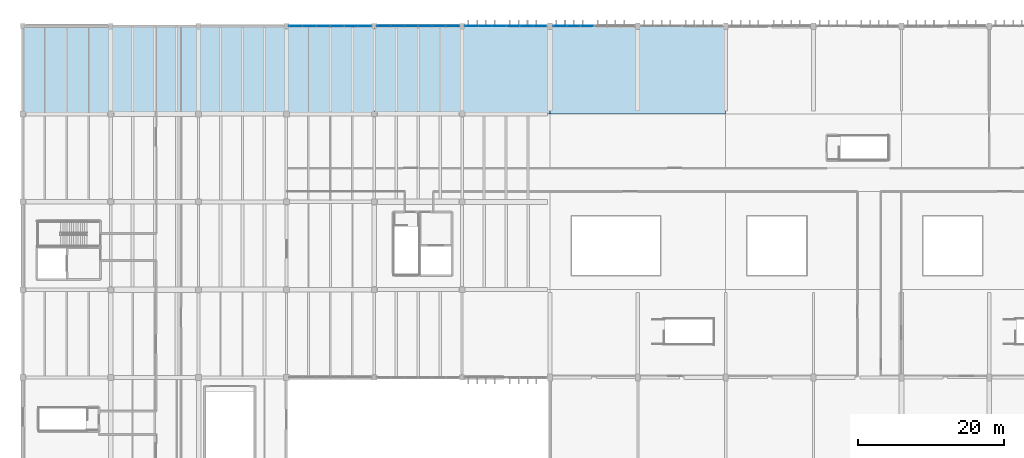
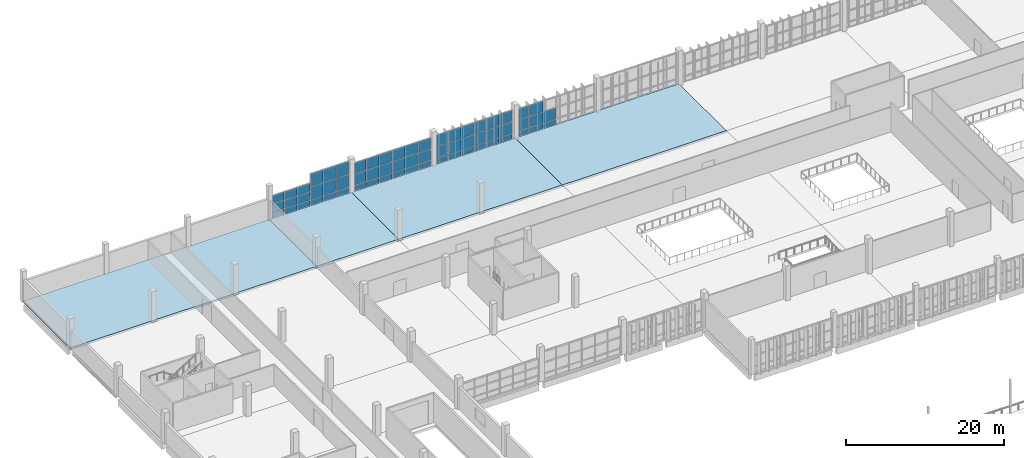
# One storey, part 71 of 112: 62 plates, 4 slabs, 7 elements without a shape of their own.
"""IFC4 building model written with IfcOpenShell, lengths in metres."""

from ifc_helpers import new_model, si_unit, direction, frame, origin, origin_2d, place, context, subcontext, project, spatial, polyline, rectangle, outline, extrude, material, layer, layer_set, type_object, element, aggregate, save


model = new_model("IFC4")

# Units and contexts
model_context = context("Model", 3, precision=1e-05, world=origin(), true_north=direction((0.0, 1.0)))
body_context = subcontext(model_context, "Body", "Model", "MODEL_VIEW")
ifc_project = project(units=[si_unit("LENGTHUNIT", "METRE"), si_unit("AREAUNIT", "SQUARE_METRE"), si_unit("VOLUMEUNIT", "CUBIC_METRE"), si_unit("PLANEANGLEUNIT", "RADIAN"), si_unit("MASSUNIT", "GRAM", prefix="KILO")], contexts=[model_context])

# Site, building, storey
site_placement = place(None, origin())
site = spatial("IfcSite", under=ifc_project, at=site_placement, CompositionType="ELEMENT")
building_placement = place(site_placement, origin())
building = spatial("IfcBuilding", under=site, at=building_placement, Name="Kamomehara Wholesale Market", CompositionType="ELEMENT")
storey_placement = place(building_placement, frame((0.0, 0.0, 6.60009765625)))
storey = spatial("IfcBuildingStorey", under=building, at=storey_placement, Name="L01", CompositionType="ELEMENT", Elevation=6.60009765625)

# Curtain wall, plates
ifc_material_1 = material(Name="Anodised aluminium 6063-T5", Category="aluminium")
curtain_wall_type = type_object("IfcCurtainWallType", Name="CW-UN-02", PredefinedType="NOTDEFINED", material=ifc_material_1)
curtain_wall_1_placement = place(storey_placement, origin())
curtain_wall_1 = element("IfcCurtainWall", 1, at=curtain_wall_1_placement, inside=storey, type_object=curtain_wall_type, Name="Unitised curtain wall CW-049", PredefinedType="NOTDEFINED")
ifc_material_2 = material(Name="Solar-control Low-E double glazing", Category="glass")
ifc_layer_1 = layer(ifc_material_2, 0.028076171875)
ifc_layer_set_1 = layer_set([ifc_layer_1], Name="Solar-control Low-E double glazing")
plate_type_1 = type_object("IfcPlateType", Name="CW-PNL-GLZ", PredefinedType="CURTAIN_PANEL", material=ifc_layer_set_1)
plate_1_placement = place(storey_placement, frame((37.287109375, 156.02001953125, 0.930419921875), z_axis=(0.0, 0.0, 1.0), x_axis=(1.0, 0.0, 0.0)))
plate_1 = element("IfcPlate", 2, at=plate_1_placement, type_object=plate_type_1, Name="Curtain panel CW-049.0.1", PredefinedType="CURTAIN_PANEL", context=body_context, shape_type="SweptSolid", body=[
    extrude(rectangle(XDim=1.79296875, YDim=0.028076171875, at=origin_2d()), origin(), (0.0, 0.0, 1.0), 1.27490234375),
])
plate_2_placement = place(storey_placement, frame((37.287109375, 156.02001953125, 2.264892578125), z_axis=(0.0, 0.0, 1.0), x_axis=(1.0, 0.0, 0.0)))
plate_2 = element("IfcPlate", 3, at=plate_2_placement, type_object=plate_type_1, Name="Curtain panel CW-049.0.2", PredefinedType="CURTAIN_PANEL", context=body_context, shape_type="SweptSolid", body=[
    extrude(rectangle(XDim=1.79296875, YDim=0.028076171875, at=origin_2d()), origin(), (0.0, 0.0, 1.0), 1.23388671875),
])
plate_3_placement = place(storey_placement, frame((39.159912109375, 156.02001953125, 0.930419921875), z_axis=(0.0, 0.0, 1.0), x_axis=(1.0, 0.0, 0.0)))
plate_3 = element("IfcPlate", 4, at=plate_3_placement, type_object=plate_type_1, Name="Curtain panel CW-049.1.1", PredefinedType="CURTAIN_PANEL", context=body_context, shape_type="SweptSolid", body=[
    extrude(rectangle(XDim=1.79296875, YDim=0.028076171875, at=origin_2d()), origin(), (0.0, 0.0, 1.0), 1.27490234375),
])
plate_4_placement = place(storey_placement, frame((39.159912109375, 156.02001953125, 2.264892578125), z_axis=(0.0, 0.0, 1.0), x_axis=(1.0, 0.0, 0.0)))
plate_4 = element("IfcPlate", 5, at=plate_4_placement, type_object=plate_type_1, Name="Curtain panel CW-049.1.2", PredefinedType="CURTAIN_PANEL", context=body_context, shape_type="SweptSolid", body=[
    extrude(rectangle(XDim=1.79296875, YDim=0.028076171875, at=origin_2d()), origin(), (0.0, 0.0, 1.0), 1.23388671875),
])
plate_5_placement = place(storey_placement, frame((41.032958984375, 156.02001953125, 0.930419921875), z_axis=(0.0, 0.0, 1.0), x_axis=(1.0, 0.0, 0.0)))
plate_5 = element("IfcPlate", 6, at=plate_5_placement, type_object=plate_type_1, Name="Curtain panel CW-049.2.1", PredefinedType="CURTAIN_PANEL", context=body_context, shape_type="SweptSolid", body=[
    extrude(rectangle(XDim=1.79296875, YDim=0.028076171875, at=origin_2d()), origin(), (0.0, 0.0, 1.0), 1.27490234375),
])
plate_6_placement = place(storey_placement, frame((41.032958984375, 156.02001953125, 2.264892578125), z_axis=(0.0, 0.0, 1.0), x_axis=(1.0, 0.0, 0.0)))
plate_6 = element("IfcPlate", 7, at=plate_6_placement, type_object=plate_type_1, Name="Curtain panel CW-049.2.2", PredefinedType="CURTAIN_PANEL", context=body_context, shape_type="SweptSolid", body=[
    extrude(rectangle(XDim=1.79296875, YDim=0.028076171875, at=origin_2d()), origin(), (0.0, 0.0, 1.0), 1.23388671875),
])

curtain_wall_2_placement = place(storey_placement, origin())
curtain_wall_2 = element("IfcCurtainWall", 8, at=curtain_wall_2_placement, inside=storey, type_object=curtain_wall_type, Name="Unitised curtain wall CW-050", PredefinedType="NOTDEFINED")
plate_7_placement = place(storey_placement, frame((42.962890625, 156.02001953125, 0.93017578125), z_axis=(0.0, 0.0, 1.0), x_axis=(1.0, 0.0, 0.0)))
plate_7 = element("IfcPlate", 9, at=plate_7_placement, type_object=plate_type_1, Name="Curtain panel CW-050.0.1", PredefinedType="CURTAIN_PANEL", context=body_context, shape_type="SweptSolid", body=[
    extrude(rectangle(XDim=1.787109375, YDim=0.028076171875, at=origin_2d()), origin(), (0.0, 0.0, 1.0), 1.985107421875),
])
plate_8_placement = place(storey_placement, frame((42.962890625, 156.02001953125, 2.974609375), z_axis=(0.0, 0.0, 1.0), x_axis=(1.0, 0.0, 0.0)))
plate_8 = element("IfcPlate", 10, at=plate_8_placement, type_object=plate_type_1, Name="Curtain panel CW-050.0.2", PredefinedType="CURTAIN_PANEL", context=body_context, shape_type="SweptSolid", body=[
    extrude(rectangle(XDim=1.787109375, YDim=0.028076171875, at=origin_2d()), origin(), (0.0, 0.0, 1.0), 1.945068359375),
])
plate_9_placement = place(storey_placement, frame((44.830078125, 156.02001953125, 0.93017578125), z_axis=(0.0, 0.0, 1.0), x_axis=(1.0, 0.0, 0.0)))
plate_9 = element("IfcPlate", 11, at=plate_9_placement, type_object=plate_type_1, Name="Curtain panel CW-050.1.1", PredefinedType="CURTAIN_PANEL", context=body_context, shape_type="SweptSolid", body=[
    extrude(rectangle(XDim=1.787109375, YDim=0.028076171875, at=origin_2d()), origin(), (0.0, 0.0, 1.0), 1.985107421875),
])
plate_10_placement = place(storey_placement, frame((44.830078125, 156.02001953125, 2.974609375), z_axis=(0.0, 0.0, 1.0), x_axis=(1.0, 0.0, 0.0)))
plate_10 = element("IfcPlate", 12, at=plate_10_placement, type_object=plate_type_1, Name="Curtain panel CW-050.1.2", PredefinedType="CURTAIN_PANEL", context=body_context, shape_type="SweptSolid", body=[
    extrude(rectangle(XDim=1.787109375, YDim=0.028076171875, at=origin_2d()), origin(), (0.0, 0.0, 1.0), 1.945068359375),
])
plate_11_placement = place(storey_placement, frame((46.697021484375, 156.02001953125, 0.93017578125), z_axis=(0.0, 0.0, 1.0), x_axis=(1.0, 0.0, 0.0)))
plate_11 = element("IfcPlate", 13, at=plate_11_placement, type_object=plate_type_1, Name="Curtain panel CW-050.2.1", PredefinedType="CURTAIN_PANEL", context=body_context, shape_type="SweptSolid", body=[
    extrude(rectangle(XDim=1.787109375, YDim=0.028076171875, at=origin_2d()), origin(), (0.0, 0.0, 1.0), 1.985107421875),
])
plate_12_placement = place(storey_placement, frame((46.697021484375, 156.02001953125, 2.974609375), z_axis=(0.0, 0.0, 1.0), x_axis=(1.0, 0.0, 0.0)))
plate_12 = element("IfcPlate", 14, at=plate_12_placement, type_object=plate_type_1, Name="Curtain panel CW-050.2.2", PredefinedType="CURTAIN_PANEL", context=body_context, shape_type="SweptSolid", body=[
    extrude(rectangle(XDim=1.787109375, YDim=0.028076171875, at=origin_2d()), origin(), (0.0, 0.0, 1.0), 1.945068359375),
])

curtain_wall_3_placement = place(storey_placement, origin())
curtain_wall_3 = element("IfcCurtainWall", 15, at=curtain_wall_3_placement, inside=storey, type_object=curtain_wall_type, Name="Unitised curtain wall CW-053", PredefinedType="NOTDEFINED")
plate_13_placement = place(storey_placement, frame((49.302978515625, 156.02001953125, 0.930419921875), z_axis=(0.0, 0.0, 1.0), x_axis=(1.0, 0.0, 0.0)))
plate_13 = element("IfcPlate", 16, at=plate_13_placement, type_object=plate_type_1, Name="Curtain panel CW-053.0.1", PredefinedType="CURTAIN_PANEL", context=body_context, shape_type="SweptSolid", body=[
    extrude(rectangle(XDim=1.787109375, YDim=0.028076171875, at=origin_2d()), origin(), (0.0, 0.0, 1.0), 1.705078125),
])
plate_14_placement = place(storey_placement, frame((49.302978515625, 156.02001953125, 2.6953125), z_axis=(0.0, 0.0, 1.0), x_axis=(1.0, 0.0, 0.0)))
plate_14 = element("IfcPlate", 17, at=plate_14_placement, type_object=plate_type_1, Name="Curtain panel CW-053.0.2", PredefinedType="CURTAIN_PANEL", context=body_context, shape_type="SweptSolid", body=[
    extrude(rectangle(XDim=1.787109375, YDim=0.028076171875, at=origin_2d()), origin(), (0.0, 0.0, 1.0), 1.6650390625),
])
plate_15_placement = place(storey_placement, frame((51.169921875, 156.02001953125, 0.930419921875), z_axis=(0.0, 0.0, 1.0), x_axis=(1.0, 0.0, 0.0)))
plate_15 = element("IfcPlate", 18, at=plate_15_placement, type_object=plate_type_1, Name="Curtain panel CW-053.1.1", PredefinedType="CURTAIN_PANEL", context=body_context, shape_type="SweptSolid", body=[
    extrude(rectangle(XDim=1.787109375, YDim=0.028076171875, at=origin_2d()), origin(), (0.0, 0.0, 1.0), 1.705078125),
])
plate_16_placement = place(storey_placement, frame((51.169921875, 156.02001953125, 2.6953125), z_axis=(0.0, 0.0, 1.0), x_axis=(1.0, 0.0, 0.0)))
plate_16 = element("IfcPlate", 19, at=plate_16_placement, type_object=plate_type_1, Name="Curtain panel CW-053.1.2", PredefinedType="CURTAIN_PANEL", context=body_context, shape_type="SweptSolid", body=[
    extrude(rectangle(XDim=1.787109375, YDim=0.028076171875, at=origin_2d()), origin(), (0.0, 0.0, 1.0), 1.6650390625),
])
plate_17_placement = place(storey_placement, frame((53.037109375, 156.02001953125, 0.930419921875), z_axis=(0.0, 0.0, 1.0), x_axis=(1.0, 0.0, 0.0)))
plate_17 = element("IfcPlate", 20, at=plate_17_placement, type_object=plate_type_1, Name="Curtain panel CW-053.2.1", PredefinedType="CURTAIN_PANEL", context=body_context, shape_type="SweptSolid", body=[
    extrude(rectangle(XDim=1.787109375, YDim=0.028076171875, at=origin_2d()), origin(), (0.0, 0.0, 1.0), 1.705078125),
])
plate_18_placement = place(storey_placement, frame((53.037109375, 156.02001953125, 2.6953125), z_axis=(0.0, 0.0, 1.0), x_axis=(1.0, 0.0, 0.0)))
plate_18 = element("IfcPlate", 21, at=plate_18_placement, type_object=plate_type_1, Name="Curtain panel CW-053.2.2", PredefinedType="CURTAIN_PANEL", context=body_context, shape_type="SweptSolid", body=[
    extrude(rectangle(XDim=1.787109375, YDim=0.028076171875, at=origin_2d()), origin(), (0.0, 0.0, 1.0), 1.6650390625),
])

curtain_wall_4_placement = place(storey_placement, origin())
curtain_wall_4 = element("IfcCurtainWall", 22, at=curtain_wall_4_placement, inside=storey, type_object=curtain_wall_type, Name="Unitised curtain wall CW-054", PredefinedType="NOTDEFINED")
plate_19_placement = place(storey_placement, frame((54.962890625, 156.02001953125, 0.930419921875), z_axis=(0.0, 0.0, 1.0), x_axis=(1.0, 0.0, 0.0)))
plate_19 = element("IfcPlate", 23, at=plate_19_placement, type_object=plate_type_1, Name="Curtain panel CW-054.0.1", PredefinedType="CURTAIN_PANEL", context=body_context, shape_type="SweptSolid", body=[
    extrude(rectangle(XDim=1.787109375, YDim=0.028076171875, at=origin_2d()), origin(), (0.0, 0.0, 1.0), 1.705078125),
])
plate_20_placement = place(storey_placement, frame((54.962890625, 156.02001953125, 2.6953125), z_axis=(0.0, 0.0, 1.0), x_axis=(1.0, 0.0, 0.0)))
plate_20 = element("IfcPlate", 24, at=plate_20_placement, type_object=plate_type_1, Name="Curtain panel CW-054.0.2", PredefinedType="CURTAIN_PANEL", context=body_context, shape_type="SweptSolid", body=[
    extrude(rectangle(XDim=1.787109375, YDim=0.028076171875, at=origin_2d()), origin(), (0.0, 0.0, 1.0), 1.6650390625),
])
plate_21_placement = place(storey_placement, frame((56.830078125, 156.02001953125, 0.930419921875), z_axis=(0.0, 0.0, 1.0), x_axis=(1.0, 0.0, 0.0)))
plate_21 = element("IfcPlate", 25, at=plate_21_placement, type_object=plate_type_1, Name="Curtain panel CW-054.1.1", PredefinedType="CURTAIN_PANEL", context=body_context, shape_type="SweptSolid", body=[
    extrude(rectangle(XDim=1.787109375, YDim=0.028076171875, at=origin_2d()), origin(), (0.0, 0.0, 1.0), 1.705078125),
])
plate_22_placement = place(storey_placement, frame((56.830078125, 156.02001953125, 2.6953125), z_axis=(0.0, 0.0, 1.0), x_axis=(1.0, 0.0, 0.0)))
plate_22 = element("IfcPlate", 26, at=plate_22_placement, type_object=plate_type_1, Name="Curtain panel CW-054.1.2", PredefinedType="CURTAIN_PANEL", context=body_context, shape_type="SweptSolid", body=[
    extrude(rectangle(XDim=1.787109375, YDim=0.028076171875, at=origin_2d()), origin(), (0.0, 0.0, 1.0), 1.6650390625),
])
plate_23_placement = place(storey_placement, frame((58.697021484375, 156.02001953125, 0.930419921875), z_axis=(0.0, 0.0, 1.0), x_axis=(1.0, 0.0, 0.0)))
plate_23 = element("IfcPlate", 27, at=plate_23_placement, type_object=plate_type_1, Name="Curtain panel CW-054.2.1", PredefinedType="CURTAIN_PANEL", context=body_context, shape_type="SweptSolid", body=[
    extrude(rectangle(XDim=1.787109375, YDim=0.028076171875, at=origin_2d()), origin(), (0.0, 0.0, 1.0), 1.705078125),
])
plate_24_placement = place(storey_placement, frame((58.697021484375, 156.02001953125, 2.6953125), z_axis=(0.0, 0.0, 1.0), x_axis=(1.0, 0.0, 0.0)))
plate_24 = element("IfcPlate", 28, at=plate_24_placement, type_object=plate_type_1, Name="Curtain panel CW-054.2.2", PredefinedType="CURTAIN_PANEL", context=body_context, shape_type="SweptSolid", body=[
    extrude(rectangle(XDim=1.787109375, YDim=0.028076171875, at=origin_2d()), origin(), (0.0, 0.0, 1.0), 1.6650390625),
])

curtain_wall_5_placement = place(storey_placement, origin())
curtain_wall_5 = element("IfcCurtainWall", 29, at=curtain_wall_5_placement, inside=storey, type_object=curtain_wall_type, Name="Unitised curtain wall CW-057", PredefinedType="NOTDEFINED")
plate_25_placement = place(storey_placement, frame((61.302978515625, 156.02001953125, 0.929443359375), z_axis=(0.0, 0.0, 1.0), x_axis=(1.0, 0.0, 0.0)))
plate_25 = element("IfcPlate", 30, at=plate_25_placement, type_object=plate_type_1, Name="Curtain panel CW-057.0.1", PredefinedType="CURTAIN_PANEL", context=body_context, shape_type="SweptSolid", body=[
    extrude(rectangle(XDim=1.787109375, YDim=0.028076171875, at=origin_2d()), origin(), (0.0, 0.0, 1.0), 1.7548828125),
])
plate_26_placement = place(storey_placement, frame((61.302978515625, 156.02001953125, 2.7451171875), z_axis=(0.0, 0.0, 1.0), x_axis=(1.0, 0.0, 0.0)))
plate_26 = element("IfcPlate", 31, at=plate_26_placement, type_object=plate_type_1, Name="Curtain panel CW-057.0.2", PredefinedType="CURTAIN_PANEL", context=body_context, shape_type="SweptSolid", body=[
    extrude(rectangle(XDim=1.787109375, YDim=0.028076171875, at=origin_2d()), origin(), (0.0, 0.0, 1.0), 1.715087890625),
])
plate_27_placement = place(storey_placement, frame((63.169921875, 156.02001953125, 0.929443359375), z_axis=(0.0, 0.0, 1.0), x_axis=(1.0, 0.0, 0.0)))
plate_27 = element("IfcPlate", 32, at=plate_27_placement, type_object=plate_type_1, Name="Curtain panel CW-057.1.1", PredefinedType="CURTAIN_PANEL", context=body_context, shape_type="SweptSolid", body=[
    extrude(rectangle(XDim=1.787109375, YDim=0.028076171875, at=origin_2d()), origin(), (0.0, 0.0, 1.0), 1.7548828125),
])
plate_28_placement = place(storey_placement, frame((63.169921875, 156.02001953125, 2.7451171875), z_axis=(0.0, 0.0, 1.0), x_axis=(1.0, 0.0, 0.0)))
plate_28 = element("IfcPlate", 33, at=plate_28_placement, type_object=plate_type_1, Name="Curtain panel CW-057.1.2", PredefinedType="CURTAIN_PANEL", context=body_context, shape_type="SweptSolid", body=[
    extrude(rectangle(XDim=1.787109375, YDim=0.028076171875, at=origin_2d()), origin(), (0.0, 0.0, 1.0), 1.715087890625),
])
plate_29_placement = place(storey_placement, frame((65.037109375, 156.02001953125, 0.929443359375), z_axis=(0.0, 0.0, 1.0), x_axis=(1.0, 0.0, 0.0)))
plate_29 = element("IfcPlate", 34, at=plate_29_placement, type_object=plate_type_1, Name="Curtain panel CW-057.2.1", PredefinedType="CURTAIN_PANEL", context=body_context, shape_type="SweptSolid", body=[
    extrude(rectangle(XDim=1.787109375, YDim=0.028076171875, at=origin_2d()), origin(), (0.0, 0.0, 1.0), 1.7548828125),
])
plate_30_placement = place(storey_placement, frame((65.037109375, 156.02001953125, 2.7451171875), z_axis=(0.0, 0.0, 1.0), x_axis=(1.0, 0.0, 0.0)))
plate_30 = element("IfcPlate", 35, at=plate_30_placement, type_object=plate_type_1, Name="Curtain panel CW-057.2.2", PredefinedType="CURTAIN_PANEL", context=body_context, shape_type="SweptSolid", body=[
    extrude(rectangle(XDim=1.787109375, YDim=0.028076171875, at=origin_2d()), origin(), (0.0, 0.0, 1.0), 1.715087890625),
])

curtain_wall_6_placement = place(storey_placement, origin())
curtain_wall_6 = element("IfcCurtainWall", 36, at=curtain_wall_6_placement, inside=storey, type_object=curtain_wall_type, Name="Unitised curtain wall CW-058", PredefinedType="NOTDEFINED")
plate_31_placement = place(storey_placement, frame((66.947998046875, 156.02001953125, 0.929443359375), z_axis=(0.0, 0.0, 1.0), x_axis=(1.0, 0.0, 0.0)))
plate_31 = element("IfcPlate", 37, at=plate_31_placement, type_object=plate_type_1, Name="Curtain panel CW-058.0.1", PredefinedType="CURTAIN_PANEL", context=body_context, shape_type="SweptSolid", body=[
    extrude(rectangle(XDim=1.757080078125, YDim=0.028076171875, at=origin_2d()), origin(), (0.0, 0.0, 1.0), 1.7548828125),
])
plate_32_placement = place(storey_placement, frame((66.947998046875, 156.02001953125, 2.7451171875), z_axis=(0.0, 0.0, 1.0), x_axis=(1.0, 0.0, 0.0)))
plate_32 = element("IfcPlate", 38, at=plate_32_placement, type_object=plate_type_1, Name="Curtain panel CW-058.0.2", PredefinedType="CURTAIN_PANEL", context=body_context, shape_type="SweptSolid", body=[
    extrude(rectangle(XDim=1.757080078125, YDim=0.028076171875, at=origin_2d()), origin(), (0.0, 0.0, 1.0), 1.715087890625),
])
plate_33_placement = place(storey_placement, frame((68.784912109375, 156.02001953125, 0.929443359375), z_axis=(0.0, 0.0, 1.0), x_axis=(1.0, 0.0, 0.0)))
plate_33 = element("IfcPlate", 39, at=plate_33_placement, type_object=plate_type_1, Name="Curtain panel CW-058.1.1", PredefinedType="CURTAIN_PANEL", context=body_context, shape_type="SweptSolid", body=[
    extrude(rectangle(XDim=1.757080078125, YDim=0.028076171875, at=origin_2d()), origin(), (0.0, 0.0, 1.0), 1.7548828125),
])
plate_34_placement = place(storey_placement, frame((68.784912109375, 156.02001953125, 2.7451171875), z_axis=(0.0, 0.0, 1.0), x_axis=(1.0, 0.0, 0.0)))
plate_34 = element("IfcPlate", 40, at=plate_34_placement, type_object=plate_type_1, Name="Curtain panel CW-058.1.2", PredefinedType="CURTAIN_PANEL", context=body_context, shape_type="SweptSolid", body=[
    extrude(rectangle(XDim=1.757080078125, YDim=0.028076171875, at=origin_2d()), origin(), (0.0, 0.0, 1.0), 1.715087890625),
])
plate_35_placement = place(storey_placement, frame((70.6220703125, 156.02001953125, 0.929443359375), z_axis=(0.0, 0.0, 1.0), x_axis=(1.0, 0.0, 0.0)))
plate_35 = element("IfcPlate", 41, at=plate_35_placement, type_object=plate_type_1, Name="Curtain panel CW-058.2.1", PredefinedType="CURTAIN_PANEL", context=body_context, shape_type="SweptSolid", body=[
    extrude(rectangle(XDim=1.757080078125, YDim=0.028076171875, at=origin_2d()), origin(), (0.0, 0.0, 1.0), 1.7548828125),
])
plate_36_placement = place(storey_placement, frame((70.6220703125, 156.02001953125, 2.7451171875), z_axis=(0.0, 0.0, 1.0), x_axis=(1.0, 0.0, 0.0)))
plate_36 = element("IfcPlate", 42, at=plate_36_placement, type_object=plate_type_1, Name="Curtain panel CW-058.2.2", PredefinedType="CURTAIN_PANEL", context=body_context, shape_type="SweptSolid", body=[
    extrude(rectangle(XDim=1.757080078125, YDim=0.028076171875, at=origin_2d()), origin(), (0.0, 0.0, 1.0), 1.715087890625),
])

curtain_wall_7_placement = place(storey_placement, origin())
curtain_wall_7 = element("IfcCurtainWall", 43, at=curtain_wall_7_placement, inside=storey, type_object=curtain_wall_type, Name="Unitised curtain wall CW-061", PredefinedType="NOTDEFINED")
plate_37_placement = place(storey_placement, frame((73.3779296875, 156.02001953125, 0.93017578125), z_axis=(0.0, 0.0, 1.0), x_axis=(1.0, 0.0, 0.0)))
plate_37 = element("IfcPlate", 44, at=plate_37_placement, type_object=plate_type_1, Name="Curtain panel CW-061.0.1", PredefinedType="CURTAIN_PANEL", context=body_context, shape_type="SweptSolid", body=[
    extrude(rectangle(XDim=1.757080078125, YDim=0.028076171875, at=origin_2d()), origin(), (0.0, 0.0, 1.0), 1.679931640625),
])
plate_38_placement = place(storey_placement, frame((73.3779296875, 156.02001953125, 2.669921875), z_axis=(0.0, 0.0, 1.0), x_axis=(1.0, 0.0, 0.0)))
plate_38 = element("IfcPlate", 45, at=plate_38_placement, type_object=plate_type_1, Name="Curtain panel CW-061.0.2", PredefinedType="CURTAIN_PANEL", context=body_context, shape_type="SweptSolid", body=[
    extrude(rectangle(XDim=1.757080078125, YDim=0.028076171875, at=origin_2d()), origin(), (0.0, 0.0, 1.0), 1.639892578125),
])
plate_39_placement = place(storey_placement, frame((75.215087890625, 156.02001953125, 0.93017578125), z_axis=(0.0, 0.0, 1.0), x_axis=(1.0, 0.0, 0.0)))
plate_39 = element("IfcPlate", 46, at=plate_39_placement, type_object=plate_type_1, Name="Curtain panel CW-061.1.1", PredefinedType="CURTAIN_PANEL", context=body_context, shape_type="SweptSolid", body=[
    extrude(rectangle(XDim=1.757080078125, YDim=0.028076171875, at=origin_2d()), origin(), (0.0, 0.0, 1.0), 1.679931640625),
])
plate_40_placement = place(storey_placement, frame((75.215087890625, 156.02001953125, 2.669921875), z_axis=(0.0, 0.0, 1.0), x_axis=(1.0, 0.0, 0.0)))
plate_40 = element("IfcPlate", 47, at=plate_40_placement, type_object=plate_type_1, Name="Curtain panel CW-061.1.2", PredefinedType="CURTAIN_PANEL", context=body_context, shape_type="SweptSolid", body=[
    extrude(rectangle(XDim=1.757080078125, YDim=0.028076171875, at=origin_2d()), origin(), (0.0, 0.0, 1.0), 1.639892578125),
])
plate_41_placement = place(storey_placement, frame((77.052001953125, 156.02001953125, 0.93017578125), z_axis=(0.0, 0.0, 1.0), x_axis=(1.0, 0.0, 0.0)))
plate_41 = element("IfcPlate", 48, at=plate_41_placement, type_object=plate_type_1, Name="Curtain panel CW-061.2.1", PredefinedType="CURTAIN_PANEL", context=body_context, shape_type="SweptSolid", body=[
    extrude(rectangle(XDim=1.757080078125, YDim=0.028076171875, at=origin_2d()), origin(), (0.0, 0.0, 1.0), 1.679931640625),
])

# Plate
ifc_material_3 = material(Name="Insulated aluminium spandrel panel", Category="aluminium")
ifc_layer_2 = layer(ifc_material_3, 0.0400390625)
ifc_layer_set_2 = layer_set([ifc_layer_2], Name="Insulated aluminium spandrel panel")
plate_type_2 = type_object("IfcPlateType", Name="CW-PNL-SPN", PredefinedType="CURTAIN_PANEL", material=ifc_layer_set_2)
plate_42_placement = place(storey_placement, frame((37.287109375, 156.02001953125, 0.06982421875), z_axis=(0.0, 0.0, 1.0), x_axis=(1.0, 0.0, 0.0)))
plate_42 = element("IfcPlate", 49, at=plate_42_placement, type_object=plate_type_2, Name="Curtain panel CW-049.0.0", PredefinedType="CURTAIN_PANEL", context=body_context, shape_type="SweptSolid", body=[
    extrude(rectangle(XDim=1.79296875, YDim=0.0400390625, at=origin_2d()), origin(), (0.0, 0.0, 1.0), 0.800048828125),
])

plate_43_placement = place(storey_placement, frame((39.159912109375, 156.02001953125, 0.06982421875), z_axis=(0.0, 0.0, 1.0), x_axis=(1.0, 0.0, 0.0)))
plate_43 = element("IfcPlate", 50, at=plate_43_placement, type_object=plate_type_2, Name="Curtain panel CW-049.1.0", PredefinedType="CURTAIN_PANEL", context=body_context, shape_type="SweptSolid", body=[
    extrude(rectangle(XDim=1.79296875, YDim=0.0400390625, at=origin_2d()), origin(), (0.0, 0.0, 1.0), 0.800048828125),
])

plate_44_placement = place(storey_placement, frame((41.032958984375, 156.02001953125, 0.06982421875), z_axis=(0.0, 0.0, 1.0), x_axis=(1.0, 0.0, 0.0)))
plate_44 = element("IfcPlate", 51, at=plate_44_placement, type_object=plate_type_2, Name="Curtain panel CW-049.2.0", PredefinedType="CURTAIN_PANEL", context=body_context, shape_type="SweptSolid", body=[
    extrude(rectangle(XDim=1.79296875, YDim=0.0400390625, at=origin_2d()), origin(), (0.0, 0.0, 1.0), 0.800048828125),
])

aggregate(curtain_wall_1, [plate_42, plate_1, plate_2, plate_43, plate_3, plate_4, plate_44, plate_5, plate_6])

plate_45_placement = place(storey_placement, frame((42.962890625, 156.02001953125, 0.06982421875), z_axis=(0.0, 0.0, 1.0), x_axis=(1.0, 0.0, 0.0)))
plate_45 = element("IfcPlate", 52, at=plate_45_placement, type_object=plate_type_2, Name="Curtain panel CW-050.0.0", PredefinedType="CURTAIN_PANEL", context=body_context, shape_type="SweptSolid", body=[
    extrude(rectangle(XDim=1.787109375, YDim=0.0400390625, at=origin_2d()), origin(), (0.0, 0.0, 1.0), 0.800048828125),
])

plate_46_placement = place(storey_placement, frame((44.830078125, 156.02001953125, 0.06982421875), z_axis=(0.0, 0.0, 1.0), x_axis=(1.0, 0.0, 0.0)))
plate_46 = element("IfcPlate", 53, at=plate_46_placement, type_object=plate_type_2, Name="Curtain panel CW-050.1.0", PredefinedType="CURTAIN_PANEL", context=body_context, shape_type="SweptSolid", body=[
    extrude(rectangle(XDim=1.787109375, YDim=0.0400390625, at=origin_2d()), origin(), (0.0, 0.0, 1.0), 0.800048828125),
])

plate_47_placement = place(storey_placement, frame((46.697021484375, 156.02001953125, 0.06982421875), z_axis=(0.0, 0.0, 1.0), x_axis=(1.0, 0.0, 0.0)))
plate_47 = element("IfcPlate", 54, at=plate_47_placement, type_object=plate_type_2, Name="Curtain panel CW-050.2.0", PredefinedType="CURTAIN_PANEL", context=body_context, shape_type="SweptSolid", body=[
    extrude(rectangle(XDim=1.787109375, YDim=0.0400390625, at=origin_2d()), origin(), (0.0, 0.0, 1.0), 0.800048828125),
])

aggregate(curtain_wall_2, [plate_45, plate_7, plate_8, plate_46, plate_9, plate_10, plate_47, plate_11, plate_12])

plate_48_placement = place(storey_placement, frame((49.302978515625, 156.02001953125, 0.06982421875), z_axis=(0.0, 0.0, 1.0), x_axis=(1.0, 0.0, 0.0)))
plate_48 = element("IfcPlate", 55, at=plate_48_placement, type_object=plate_type_2, Name="Curtain panel CW-053.0.0", PredefinedType="CURTAIN_PANEL", context=body_context, shape_type="SweptSolid", body=[
    extrude(rectangle(XDim=1.787109375, YDim=0.0400390625, at=origin_2d()), origin(), (0.0, 0.0, 1.0), 0.800048828125),
])

plate_49_placement = place(storey_placement, frame((51.169921875, 156.02001953125, 0.06982421875), z_axis=(0.0, 0.0, 1.0), x_axis=(1.0, 0.0, 0.0)))
plate_49 = element("IfcPlate", 56, at=plate_49_placement, type_object=plate_type_2, Name="Curtain panel CW-053.1.0", PredefinedType="CURTAIN_PANEL", context=body_context, shape_type="SweptSolid", body=[
    extrude(rectangle(XDim=1.787109375, YDim=0.0400390625, at=origin_2d()), origin(), (0.0, 0.0, 1.0), 0.800048828125),
])

plate_50_placement = place(storey_placement, frame((53.037109375, 156.02001953125, 0.06982421875), z_axis=(0.0, 0.0, 1.0), x_axis=(1.0, 0.0, 0.0)))
plate_50 = element("IfcPlate", 57, at=plate_50_placement, type_object=plate_type_2, Name="Curtain panel CW-053.2.0", PredefinedType="CURTAIN_PANEL", context=body_context, shape_type="SweptSolid", body=[
    extrude(rectangle(XDim=1.787109375, YDim=0.0400390625, at=origin_2d()), origin(), (0.0, 0.0, 1.0), 0.800048828125),
])

aggregate(curtain_wall_3, [plate_48, plate_13, plate_14, plate_49, plate_15, plate_16, plate_50, plate_17, plate_18])

plate_51_placement = place(storey_placement, frame((54.962890625, 156.02001953125, 0.06982421875), z_axis=(0.0, 0.0, 1.0), x_axis=(1.0, 0.0, 0.0)))
plate_51 = element("IfcPlate", 58, at=plate_51_placement, type_object=plate_type_2, Name="Curtain panel CW-054.0.0", PredefinedType="CURTAIN_PANEL", context=body_context, shape_type="SweptSolid", body=[
    extrude(rectangle(XDim=1.787109375, YDim=0.0400390625, at=origin_2d()), origin(), (0.0, 0.0, 1.0), 0.800048828125),
])

plate_52_placement = place(storey_placement, frame((56.830078125, 156.02001953125, 0.06982421875), z_axis=(0.0, 0.0, 1.0), x_axis=(1.0, 0.0, 0.0)))
plate_52 = element("IfcPlate", 59, at=plate_52_placement, type_object=plate_type_2, Name="Curtain panel CW-054.1.0", PredefinedType="CURTAIN_PANEL", context=body_context, shape_type="SweptSolid", body=[
    extrude(rectangle(XDim=1.787109375, YDim=0.0400390625, at=origin_2d()), origin(), (0.0, 0.0, 1.0), 0.800048828125),
])

plate_53_placement = place(storey_placement, frame((58.697021484375, 156.02001953125, 0.06982421875), z_axis=(0.0, 0.0, 1.0), x_axis=(1.0, 0.0, 0.0)))
plate_53 = element("IfcPlate", 60, at=plate_53_placement, type_object=plate_type_2, Name="Curtain panel CW-054.2.0", PredefinedType="CURTAIN_PANEL", context=body_context, shape_type="SweptSolid", body=[
    extrude(rectangle(XDim=1.787109375, YDim=0.0400390625, at=origin_2d()), origin(), (0.0, 0.0, 1.0), 0.800048828125),
])

aggregate(curtain_wall_4, [plate_51, plate_19, plate_20, plate_52, plate_21, plate_22, plate_53, plate_23, plate_24])

plate_54_placement = place(storey_placement, frame((61.302978515625, 156.02001953125, 0.06982421875), z_axis=(0.0, 0.0, 1.0), x_axis=(1.0, 0.0, 0.0)))
plate_54 = element("IfcPlate", 61, at=plate_54_placement, type_object=plate_type_2, Name="Curtain panel CW-057.0.0", PredefinedType="CURTAIN_PANEL", context=body_context, shape_type="SweptSolid", body=[
    extrude(rectangle(XDim=1.787109375, YDim=0.0400390625, at=origin_2d()), origin(), (0.0, 0.0, 1.0), 0.800048828125),
])

plate_55_placement = place(storey_placement, frame((63.169921875, 156.02001953125, 0.06982421875), z_axis=(0.0, 0.0, 1.0), x_axis=(1.0, 0.0, 0.0)))
plate_55 = element("IfcPlate", 62, at=plate_55_placement, type_object=plate_type_2, Name="Curtain panel CW-057.1.0", PredefinedType="CURTAIN_PANEL", context=body_context, shape_type="SweptSolid", body=[
    extrude(rectangle(XDim=1.787109375, YDim=0.0400390625, at=origin_2d()), origin(), (0.0, 0.0, 1.0), 0.800048828125),
])

plate_56_placement = place(storey_placement, frame((65.037109375, 156.02001953125, 0.06982421875), z_axis=(0.0, 0.0, 1.0), x_axis=(1.0, 0.0, 0.0)))
plate_56 = element("IfcPlate", 63, at=plate_56_placement, type_object=plate_type_2, Name="Curtain panel CW-057.2.0", PredefinedType="CURTAIN_PANEL", context=body_context, shape_type="SweptSolid", body=[
    extrude(rectangle(XDim=1.787109375, YDim=0.0400390625, at=origin_2d()), origin(), (0.0, 0.0, 1.0), 0.800048828125),
])

aggregate(curtain_wall_5, [plate_54, plate_25, plate_26, plate_55, plate_27, plate_28, plate_56, plate_29, plate_30])

plate_57_placement = place(storey_placement, frame((66.947998046875, 156.02001953125, 0.06982421875), z_axis=(0.0, 0.0, 1.0), x_axis=(1.0, 0.0, 0.0)))
plate_57 = element("IfcPlate", 64, at=plate_57_placement, type_object=plate_type_2, Name="Curtain panel CW-058.0.0", PredefinedType="CURTAIN_PANEL", context=body_context, shape_type="SweptSolid", body=[
    extrude(rectangle(XDim=1.757080078125, YDim=0.0400390625, at=origin_2d()), origin(), (0.0, 0.0, 1.0), 0.800048828125),
])

plate_58_placement = place(storey_placement, frame((68.784912109375, 156.02001953125, 0.06982421875), z_axis=(0.0, 0.0, 1.0), x_axis=(1.0, 0.0, 0.0)))
plate_58 = element("IfcPlate", 65, at=plate_58_placement, type_object=plate_type_2, Name="Curtain panel CW-058.1.0", PredefinedType="CURTAIN_PANEL", context=body_context, shape_type="SweptSolid", body=[
    extrude(rectangle(XDim=1.757080078125, YDim=0.0400390625, at=origin_2d()), origin(), (0.0, 0.0, 1.0), 0.800048828125),
])

plate_59_placement = place(storey_placement, frame((70.6220703125, 156.02001953125, 0.06982421875), z_axis=(0.0, 0.0, 1.0), x_axis=(1.0, 0.0, 0.0)))
plate_59 = element("IfcPlate", 66, at=plate_59_placement, type_object=plate_type_2, Name="Curtain panel CW-058.2.0", PredefinedType="CURTAIN_PANEL", context=body_context, shape_type="SweptSolid", body=[
    extrude(rectangle(XDim=1.757080078125, YDim=0.0400390625, at=origin_2d()), origin(), (0.0, 0.0, 1.0), 0.800048828125),
])

aggregate(curtain_wall_6, [plate_57, plate_31, plate_32, plate_58, plate_33, plate_34, plate_59, plate_35, plate_36])

plate_60_placement = place(storey_placement, frame((73.3779296875, 156.02001953125, 0.06982421875), z_axis=(0.0, 0.0, 1.0), x_axis=(1.0, 0.0, 0.0)))
plate_60 = element("IfcPlate", 67, at=plate_60_placement, type_object=plate_type_2, Name="Curtain panel CW-061.0.0", PredefinedType="CURTAIN_PANEL", context=body_context, shape_type="SweptSolid", body=[
    extrude(rectangle(XDim=1.757080078125, YDim=0.0400390625, at=origin_2d()), origin(), (0.0, 0.0, 1.0), 0.800048828125),
])

plate_61_placement = place(storey_placement, frame((75.215087890625, 156.02001953125, 0.06982421875), z_axis=(0.0, 0.0, 1.0), x_axis=(1.0, 0.0, 0.0)))
plate_61 = element("IfcPlate", 68, at=plate_61_placement, type_object=plate_type_2, Name="Curtain panel CW-061.1.0", PredefinedType="CURTAIN_PANEL", context=body_context, shape_type="SweptSolid", body=[
    extrude(rectangle(XDim=1.757080078125, YDim=0.0400390625, at=origin_2d()), origin(), (0.0, 0.0, 1.0), 0.800048828125),
])

plate_62_placement = place(storey_placement, frame((77.052001953125, 156.02001953125, 0.06982421875), z_axis=(0.0, 0.0, 1.0), x_axis=(1.0, 0.0, 0.0)))
plate_62 = element("IfcPlate", 69, at=plate_62_placement, type_object=plate_type_2, Name="Curtain panel CW-061.2.0", PredefinedType="CURTAIN_PANEL", context=body_context, shape_type="SweptSolid", body=[
    extrude(rectangle(XDim=1.757080078125, YDim=0.0400390625, at=origin_2d()), origin(), (0.0, 0.0, 1.0), 0.800048828125),
])

aggregate(curtain_wall_7, [plate_60, plate_37, plate_38, plate_61, plate_39, plate_40, plate_62, plate_41])

# Slabs
ifc_material_4 = material(Name="Concrete Fc36 (C35/45)", Category="concrete")
ifc_layer_3 = layer(ifc_material_4, 0.320068359375)
ifc_layer_set_3 = layer_set([ifc_layer_3], Name="Concrete Fc36 (C35/45)")
slab_type_1 = type_object("IfcSlabType", Name="SLB-FLR-240", PredefinedType="FLOOR", material=ifc_layer_set_3)
slab_1_placement = place(storey_placement, frame((0.0, 0.0, -0.320068359375)))
element("IfcSlab", 70, at=slab_1_placement, inside=storey, type_object=slab_type_1, Name="Floor slab V1 L01 69", PredefinedType="FLOOR", context=body_context, shape_type="SweptSolid", body=[
    extrude(outline(polyline([(72.0, 144.0), (48.0, 144.0), (48.0, 156.0), (72.0, 156.0), (72.0, 144.0)])), origin(), (0.0, 0.0, 1.0), 0.320068359375),
])
slab_2_placement = place(storey_placement, frame((0.0, 0.0, -0.320068359375)))
element("IfcSlab", 71, at=slab_2_placement, inside=storey, type_object=slab_type_1, Name="Floor slab V3 L01 94", PredefinedType="FLOOR", context=body_context, shape_type="SweptSolid", body=[
    extrude(outline(polyline([(36.0, 144.0), (0.0, 144.0), (0.0, 156.0), (36.0, 156.0), (36.0, 144.0)])), origin(), (0.0, 0.0, 1.0), 0.320068359375),
])
ifc_material_5 = material(Name="Concrete Fc36 (C35/45)", Category="concrete")
ifc_layer_4 = layer(ifc_material_5, 0.330078125)
ifc_layer_set_4 = layer_set([ifc_layer_4], Name="Concrete Fc36 (C35/45)")
slab_type_2 = type_object("IfcSlabType", Name="SLB-FLR-260", PredefinedType="FLOOR", material=ifc_layer_set_4)
slab_3_placement = place(storey_placement, frame((0.0, 0.0, -0.330078125)))
element("IfcSlab", 72, at=slab_3_placement, inside=storey, type_object=slab_type_2, Name="Floor slab V1 L01 72", PredefinedType="FLOOR", context=body_context, shape_type="SweptSolid", body=[
    extrude(outline(polyline([(96.0, 144.0), (72.0, 144.0), (72.0, 156.0), (96.0, 156.0), (96.0, 144.0)])), origin(), (0.0, 0.0, 1.0), 0.330078125),
])
ifc_material_6 = material(Name="Concrete Fc36 (C35/45)", Category="concrete")
ifc_layer_5 = layer(ifc_material_6, 0.340087890625)
ifc_layer_set_5 = layer_set([ifc_layer_5], Name="Concrete Fc36 (C35/45)")
slab_type_3 = type_object("IfcSlabType", Name="SLB-FLR-280", PredefinedType="FLOOR", material=ifc_layer_set_5)
slab_4_placement = place(storey_placement, frame((0.0, 0.0, -0.340087890625)))
element("IfcSlab", 73, at=slab_4_placement, inside=storey, type_object=slab_type_3, Name="Floor slab V1 L01 66", PredefinedType="FLOOR", context=body_context, shape_type="SweptSolid", body=[
    extrude(outline(polyline([(48.0, 144.0), (36.0, 144.0), (36.0, 156.0), (48.0, 156.0), (48.0, 144.0)])), origin(), (0.0, 0.0, 1.0), 0.340087890625),
])

save(model, "model.ifc")
